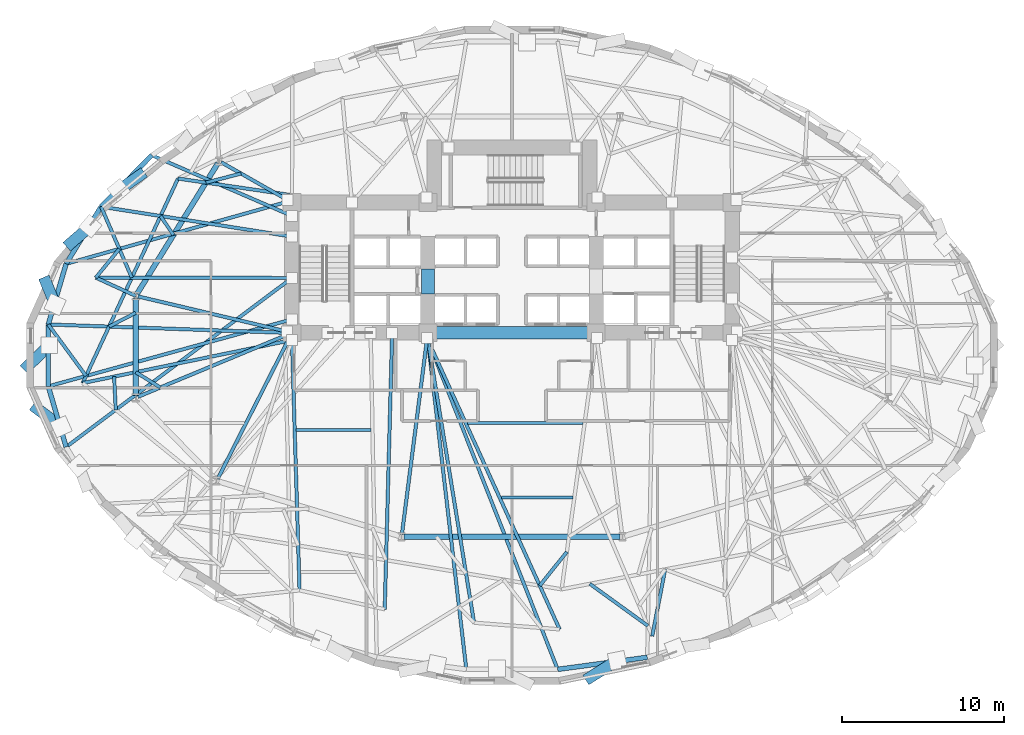
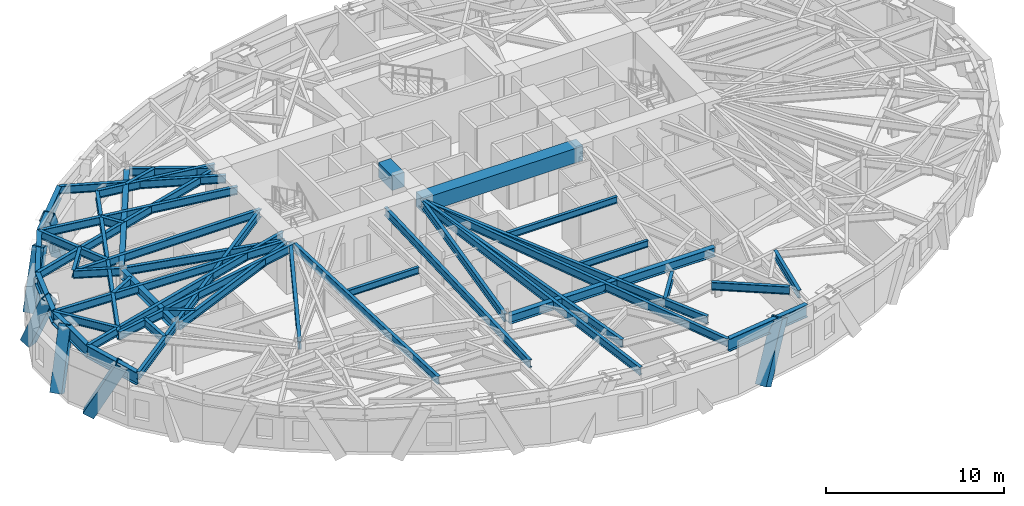
# One storey, part 2 of 14: 47 beams, 6 members.
"""IFC4 building model written with IfcOpenShell, lengths in metres."""

import ifcopenshell
import ifcopenshell.guid

model = None  # the IFC model being written
_history = None  # IfcOwnerHistory: only IFC2X3 demands one
_inside = {}  # id of a spatial element -> (the spatial element, [elements in it])
_under = {}  # id of a project, library or spatial element -> (it, [spatial elements below it])
_declared = {}  # id of a project -> (the project, [libraries it declares])
_typed = {}  # id of a type object -> (the type object, [elements of that type])
_made_of = {}  # id of a material, layer set ... -> (it, [elements and type objects made of it])


def new_model(schema):
    """Start an empty IFC model of exactly this schema.

    Asked for "IFC4X3", IfcOpenShell would pick the latest addendum, in which some entities
    have other attributes; the version numbers below select the first issue.
    IFC2X3 requires an IfcOwnerHistory on every rooted entity: one is made here for all.
    """
    global model, _history
    if schema == "IFC4X3":
        model = ifcopenshell.file(schema_version=(4, 3, 0, 0))
    else:
        model = ifcopenshell.file(schema=schema)
    _inside.clear()
    _under.clear()
    _declared.clear()
    _typed.clear()
    _made_of.clear()
    _history = None
    if model.schema == "IFC2X3":
        org = make("IfcOrganization", Name="unknown")
        user = make(
            "IfcPersonAndOrganization",
            ThePerson=make("IfcPerson", FamilyName="unknown"),
            TheOrganization=org,
        )
        app = make(
            "IfcApplication",
            ApplicationDeveloper=org,
            Version="unknown",
            ApplicationFullName="unknown",
            ApplicationIdentifier="unknown",
        )
        _history = make(
            "IfcOwnerHistory",
            OwningUser=user,
            OwningApplication=app,
            ChangeAction="ADDED",
            CreationDate=0,
        )
    return model


def make(cls, **values):
    """One entity of the class cls with the attributes given. An attribute that is None is left unset."""
    return model.create_entity(
        cls, **{name: value for name, value in values.items() if value is not None}
    )


def rooted(cls, **values):
    """An entity with a GlobalId (a new one), such as an element, a storey or a relation."""
    return make(cls, GlobalId=ifcopenshell.guid.new(), OwnerHistory=_history, **values)


def si_unit(unit_type, name, prefix=None):
    """IfcSIUnit, for example si_unit("LENGTHUNIT", "METRE", prefix="MILLI")."""
    return make("IfcSIUnit", UnitType=unit_type, Prefix=prefix, Name=name)


def assignment(units):
    """IfcUnitAssignment: the units of a project."""
    return None if units is None else make("IfcUnitAssignment", Units=units)


def point(xyz):
    """IfcCartesianPoint."""
    return None if xyz is None else make("IfcCartesianPoint", Coordinates=xyz)


def direction(xyz):
    """IfcDirection."""
    return None if xyz is None else make("IfcDirection", DirectionRatios=xyz)


def frame(location, z_axis=None, x_axis=None):
    """IfcAxis2Placement3D, a coordinate frame: its origin and axes. An axis left out is left unset."""
    return make(
        "IfcAxis2Placement3D",
        Location=point(location),
        Axis=direction(z_axis),
        RefDirection=direction(x_axis),
    )


def frame_2d(location, x_axis=None):
    """IfcAxis2Placement2D, a coordinate frame in the plane: its origin and x axis."""
    return make(
        "IfcAxis2Placement2D", Location=point(location), RefDirection=direction(x_axis)
    )


def origin():
    """The frame at (0, 0, 0) with its axes left unset."""
    return frame((0.0, 0.0, 0.0))


def origin_2d():
    """The frame at (0, 0) in the plane with its x axis left unset."""
    return frame_2d((0.0, 0.0))


def place(relative_to, where):
    """IfcLocalPlacement: puts the frame where relative to a parent placement (None: the world)."""
    return make(
        "IfcLocalPlacement", PlacementRelTo=relative_to, RelativePlacement=where
    )


def context(
    kind, dimensions, precision=None, world=None, true_north=None, identifier=None
):
    """IfcGeometricRepresentationContext, for example the 3D "Model" context."""
    return make(
        "IfcGeometricRepresentationContext",
        ContextIdentifier=identifier,
        ContextType=kind,
        CoordinateSpaceDimension=dimensions,
        Precision=precision,
        WorldCoordinateSystem=world,
        TrueNorth=true_north,
    )


def subcontext(parent, identifier, kind, view, scale=None):
    """IfcGeometricRepresentationSubContext, for example "Body" below "Model"."""
    return make(
        "IfcGeometricRepresentationSubContext",
        ContextIdentifier=identifier,
        ContextType=kind,
        ParentContext=parent,
        TargetScale=scale,
        TargetView=view,
    )


def project(units=None, contexts=None):
    """IfcProject with its units and contexts."""
    return rooted(
        "IfcProject",
        Name="project",
        RepresentationContexts=contexts,
        UnitsInContext=assignment(units),
    )


def spatial(cls, under=None, at=None, **own):
    """A site, building, storey or space (cls), placed at a placement, below another one or the project."""
    s = rooted(cls, ObjectPlacement=at, **own)
    if under is not None:
        _under.setdefault(under.id(), (under, []))[1].append(s)
    return s


def profile(cls, at=None, kind="AREA", **sizes):
    """A parametric profile (cls). Its sizes go by their IFC names, for example OverallWidth=200.0."""
    return make(cls, ProfileType=kind, Position=at, **sizes)


def rectangle(**sizes):
    """IfcRectangleProfileDef."""
    return profile("IfcRectangleProfileDef", **sizes)


def hollow_rectangle(**sizes):
    """IfcRectangleHollowProfileDef."""
    return profile("IfcRectangleHollowProfileDef", **sizes)


def i_section(**sizes):
    """IfcIShapeProfileDef."""
    return profile("IfcIShapeProfileDef", **sizes)


def extrude(swept, where, along, depth):
    """IfcExtrudedAreaSolid: the profile swept, set in the frame where, extruded along a direction by depth."""
    return make(
        "IfcExtrudedAreaSolid",
        SweptArea=swept,
        Position=where,
        ExtrudedDirection=direction(along),
        Depth=depth,
    )


def shape(context_of_items, identifier, shape_type, items):
    """IfcShapeRepresentation: the items that make up one representation, for example the "Body"."""
    return make(
        "IfcShapeRepresentation",
        ContextOfItems=context_of_items,
        RepresentationIdentifier=identifier,
        RepresentationType=shape_type,
        Items=items,
    )


def material(Name=None, Category=None):
    """IfcMaterial."""
    return make("IfcMaterial", Name=Name, Category=Category)


def material_profile(
    of_material, cross_section, Name=None, Category=None, Priority=None
):
    """IfcMaterialProfile: a cross section and its material."""
    return make(
        "IfcMaterialProfile",
        Name=Name,
        Material=of_material,
        Profile=cross_section,
        Priority=Priority,
        Category=Category,
    )


def profile_set(profiles, Name=None, composite=None):
    """IfcMaterialProfileSet."""
    return make(
        "IfcMaterialProfileSet",
        Name=Name,
        MaterialProfiles=profiles,
        CompositeProfile=composite,
    )


def made_of(thing, what):
    """Note that an element or type object is made of a material, layer set ...; save() writes the relation."""
    if what is not None:
        _made_of.setdefault(what.id(), (what, []))[1].append(thing)
    return thing


def type_object(cls, material=None, **own):
    """A type object (cls), such as IfcWallType, which elements share."""
    return made_of(rooted(cls, **own), material)


def element(
    cls,
    number,
    at=None,
    inside=None,
    cuts=None,
    type_object=None,
    material=None,
    context=None,
    identifier="Body",
    shape_type=None,
    held_by="IfcProductDefinitionShape",
    body=None,
    shapes=None,
    **own,
):
    """One element of the class cls, such as IfcWall. Its Tag is "e" and its number.

    at: its placement. inside: the storey or other place that contains it. cuts: it is an
    opening in that element (IfcRelVoidsElement). A single representation is given by context,
    identifier, shape_type and body (its items); several are given by shapes. held_by: the class
    of the entity that holds the representations. save() writes the other relations.
    """
    e = rooted(cls, Tag="e%d" % number, ObjectPlacement=at, **own)
    if body is not None:
        shapes = [shape(context, identifier, shape_type, body)]
    if shapes is not None:
        e.Representation = make(held_by, Representations=shapes)
    if inside is not None:
        _inside.setdefault(inside.id(), (inside, []))[1].append(e)
    if cuts is not None:
        rooted(
            "IfcRelVoidsElement", RelatingBuildingElement=cuts, RelatedOpeningElement=e
        )
    if type_object is not None:
        _typed.setdefault(type_object.id(), (type_object, []))[1].append(e)
    return made_of(e, material)


def aggregate(whole, parts):
    """IfcRelAggregates: a whole, such as a stair, and the parts it consists of."""
    return rooted("IfcRelAggregates", RelatingObject=whole, RelatedObjects=parts)


def save(model, path):
    """Write the relations noted so far, then the file.

    IfcRelAggregates (storeys below a building ...), IfcRelContainedInSpatialStructure (elements
    in a storey), IfcRelDefinesByType, IfcRelAssociatesMaterial and IfcRelDeclares: one each for
    every whole, place, type object, material and project.
    """
    for whole, parts in _under.values():
        aggregate(whole, parts)
    for where, things in _inside.values():
        rooted(
            "IfcRelContainedInSpatialStructure",
            RelatedElements=things,
            RelatingStructure=where,
        )
    for kind, things in _typed.values():
        rooted("IfcRelDefinesByType", RelatedObjects=things, RelatingType=kind)
    for what, things in _made_of.values():
        rooted("IfcRelAssociatesMaterial", RelatedObjects=things, RelatingMaterial=what)
    for by, libraries in _declared.values():
        rooted("IfcRelDeclares", RelatingContext=by, RelatedDefinitions=libraries)
    model.write(path)


model = new_model("IFC4")

# Units and contexts
model_context = context("Model", 3, precision=1e-05, world=origin(), true_north=direction((0.0, 1.0)))
body_context = subcontext(model_context, "Body", "Model", "MODEL_VIEW")
ifc_project = project(units=[si_unit("LENGTHUNIT", "METRE"), si_unit("AREAUNIT", "SQUARE_METRE"), si_unit("VOLUMEUNIT", "CUBIC_METRE"), si_unit("PLANEANGLEUNIT", "RADIAN"), si_unit("MASSUNIT", "GRAM", prefix="KILO")], contexts=[model_context])

# Site, building, storey
site_placement = place(None, origin())
site = spatial("IfcSite", under=ifc_project, at=site_placement, CompositionType="ELEMENT")
building_placement = place(site_placement, origin())
building = spatial("IfcBuilding", under=site, at=building_placement, Name="Keldmark Tower", CompositionType="ELEMENT")
storey_placement = place(building_placement, frame((0.0, 0.0, 73.800048828125)))
storey = spatial("IfcBuildingStorey", under=building, at=storey_placement, Name="L19", CompositionType="ELEMENT", Elevation=73.800048828125)

# Beams
ifc_material_1 = material(Name="Steel ASTM A992 Grade 50", Category="steel")
ifc_material_profile_1 = material_profile(ifc_material_1, i_section(OverallWidth=0.19091796875, OverallDepth=0.45703125, WebThickness=0.009033203125, FlangeThickness=0.014404296875, at=origin_2d()), Name="W18X50")
ifc_profile_set_1 = profile_set([ifc_material_profile_1], Name="Steel ASTM A992 Grade 50")
beam_type_1 = type_object("IfcBeamType", Name="Composite Floor Joist W18X50", PredefinedType="JOIST", material=ifc_profile_set_1)
beam_1_placement = place(storey_placement, frame((-0.661376953125, -8.780029296875, 3.13134765625), z_axis=(1.0, 0.0, 0.0), x_axis=(0.0, 1.0, 0.0)))
element("IfcBeam", 1, at=beam_1_placement, inside=storey, type_object=beam_type_1, Name="L19 Composite Floor Joist J03", PredefinedType="JOIST", context=body_context, shape_type="SweptSolid", body=[
    extrude(i_section(OverallWidth=0.19091796875, OverallDepth=0.45703125, WebThickness=0.009033203125, FlangeThickness=0.014404296875, at=origin_2d()), origin(), (0.0, 0.0, 1.0), 4.41845703125),
])
beam_2_placement = place(storey_placement, frame((-13.335693359375, -4.60009765625, 3.13134765625), z_axis=(1.0, 0.0, 0.0), x_axis=(0.0, 1.0, 0.0)))
element("IfcBeam", 2, at=beam_2_placement, inside=storey, type_object=beam_type_1, Name="L19 Composite Floor Joist J05", PredefinedType="JOIST", context=body_context, shape_type="SweptSolid", body=[
    extrude(i_section(OverallWidth=0.19091796875, OverallDepth=0.45703125, WebThickness=0.009033203125, FlangeThickness=0.014404296875, at=origin_2d()), origin(), (0.0, 0.0, 1.0), 4.6162109375),
])
beam_3_placement = place(storey_placement, frame((-2.757080078125, -4.179931640625, 3.13134765625), z_axis=(1.0, 0.0, 0.0), x_axis=(0.0, 1.0, 0.0)))
element("IfcBeam", 3, at=beam_3_placement, inside=storey, type_object=beam_type_1, Name="L19 Composite Floor Joist J06", PredefinedType="JOIST", context=body_context, shape_type="SweptSolid", body=[
    extrude(i_section(OverallWidth=0.19091796875, OverallDepth=0.45703125, WebThickness=0.009033203125, FlangeThickness=0.014404296875, at=origin_2d()), origin(), (0.0, 0.0, 1.0), 7.150390625),
])
ifc_material_2 = material(Name="Concrete C70/85", Category="concrete")
ifc_material_profile_2 = material_profile(ifc_material_2, rectangle(XDim=0.800048828125, YDim=1.0, at=origin_2d()), Name="RCB800X1000")
ifc_profile_set_2 = profile_set([ifc_material_profile_2], Name="Concrete C70/85")
beam_type_2 = type_object("IfcBeamType", Name="Core Coupling Beam RCB800X1000", PredefinedType="USERDEFINED", material=ifc_profile_set_2)
beam_4_placement = place(storey_placement, frame((-5.199951171875, 3.800048828125, 2.85986328125), z_axis=(0.0, 1.0, 0.0), x_axis=(-1.0, 0.0, 0.0)))
element("IfcBeam", 4, at=beam_4_placement, inside=storey, type_object=beam_type_2, Name="L19 West Core Coupling Beam", ObjectType="COUPLING BEAM", PredefinedType="USERDEFINED", context=body_context, shape_type="SweptSolid", body=[
    extrude(rectangle(XDim=0.800048828125, YDim=1.0, at=origin_2d()), origin(), (0.0, 0.0, 1.0), 1.550048828125),
])
beam_5_placement = place(storey_placement, frame((-5.199951171875, 1.39990234375, 2.85986328125), z_axis=(1.0, 0.0, 0.0), x_axis=(0.0, 1.0, 0.0)))
element("IfcBeam", 5, at=beam_5_placement, inside=storey, type_object=beam_type_2, Name="L19 Central South Core Coupling Beam", ObjectType="COUPLING BEAM", PredefinedType="USERDEFINED", context=body_context, shape_type="SweptSolid", body=[
    extrude(rectangle(XDim=0.800048828125, YDim=1.0, at=origin_2d()), origin(), (0.0, 0.0, 1.0), 10.39990234375),
])

# Members
ifc_material_3 = material(Name="Steel ASTM A572 Grade 50", Category="steel")
ifc_material_profile_3 = material_profile(ifc_material_3, hollow_rectangle(XDim=0.699951171875, YDim=0.699951171875, WallThickness=0.054931640625, at=origin_2d()), Name="BOX700X700X55")
ifc_profile_set_3 = profile_set([ifc_material_profile_3], Name="Steel ASTM A572 Grade 50")
member_type = type_object("IfcMemberType", Name="Diagrid Zone 1 Brace BOX700X700X55", PredefinedType="BRACE", material=ifc_profile_set_3)
member_1_placement = place(storey_placement, frame((-22.987548828125, 11.135498046875, -0.280029296875), z_axis=(-0.340978077507, -0.238167447404, 0.909401021364), x_axis=(0.57262746717, -0.819815701144, 0.0)))
element("IfcMember", 6, at=member_1_placement, inside=storey, type_object=member_type, Name="L19 Perimeter Diagrid Brace 07A", PredefinedType="BRACE", context=body_context, shape_type="SweptSolid", body=[
    extrude(hollow_rectangle(XDim=0.699951171875, YDim=0.699951171875, WallThickness=0.054931640625, at=origin_2d()), origin(), (0.0, 0.0, 1.0), 3.87060546875),
])
member_2_placement = place(storey_placement, frame((-27.286865234375, 6.923828125, -0.280029296875), z_axis=(0.314959384679, 0.274376382732, 0.908580313787), x_axis=(-0.656858226087, 0.754014105187, 0.0)))
element("IfcMember", 7, at=member_2_placement, inside=storey, type_object=member_type, Name="L19 Perimeter Diagrid Brace 07B", PredefinedType="BRACE", context=body_context, shape_type="SweptSolid", body=[
    extrude(hollow_rectangle(XDim=0.699951171875, YDim=0.699951171875, WallThickness=0.054931640625, at=origin_2d()), origin(), (0.0, 0.0, 1.0), 3.874267578125),
])
member_3_placement = place(storey_placement, frame((-28.808349609375, 4.53076171875, -0.280029296875), z_axis=(0.149368240201, -0.362477989142, 0.919945018035), x_axis=(0.924576949637, 0.380995359814, 0.0)))
element("IfcMember", 8, at=member_3_placement, inside=storey, type_object=member_type, Name="L19 Perimeter Diagrid Brace 08A", PredefinedType="BRACE", context=body_context, shape_type="SweptSolid", body=[
    extrude(hollow_rectangle(XDim=0.699951171875, YDim=0.699951171875, WallThickness=0.054931640625, at=origin_2d()), origin(), (0.0, 0.0, 1.0), 3.826416015625),
])
member_4_placement = place(storey_placement, frame((-29.9443359375, -0.673828125, -0.280029296875), z_axis=(0.336785212573, 0.327293992946, 0.882867126341), x_axis=(-0.696929421312, 0.717139722585, 0.0)))
element("IfcMember", 9, at=member_4_placement, inside=storey, type_object=member_type, Name="L19 Perimeter Diagrid Brace 08B", PredefinedType="BRACE", context=body_context, shape_type="SweptSolid", body=[
    extrude(hollow_rectangle(XDim=0.699951171875, YDim=0.699951171875, WallThickness=0.054931640625, at=origin_2d()), origin(), (0.0, 0.0, 1.0), 3.987060546875),
])
member_5_placement = place(storey_placement, frame((-29.375244140625, -3.27001953125, -0.280029296875), z_axis=(0.37757544969, -0.284113759132, 0.88131501273), x_axis=(0.601261799092, 0.799052094017, 0.0)))
element("IfcMember", 10, at=member_5_placement, inside=storey, type_object=member_type, Name="L19 Perimeter Diagrid Brace 09A", PredefinedType="BRACE", context=body_context, shape_type="SweptSolid", body=[
    extrude(hollow_rectangle(XDim=0.699951171875, YDim=0.699951171875, WallThickness=0.054931640625, at=origin_2d()), origin(), (0.0, 0.0, 1.0), 3.994140625),
])
member_6_placement = place(storey_placement, frame((4.825439453125, -19.899658203125, -0.280029296875), z_axis=(0.416541239689, 0.259990855002, 0.871147605721), x_axis=(-0.529490047926, 0.848316149291, 0.0)))
element("IfcMember", 11, at=member_6_placement, inside=storey, type_object=member_type, Name="L19 Perimeter Diagrid Brace 13A", PredefinedType="BRACE", context=body_context, shape_type="SweptSolid", body=[
    extrude(hollow_rectangle(XDim=0.699951171875, YDim=0.699951171875, WallThickness=0.054931640625, at=origin_2d()), origin(), (0.0, 0.0, 1.0), 4.040771484375),
])

# Beams
ifc_material_4 = material(Name="Steel ASTM A992 Grade 50", Category="steel")
ifc_material_profile_4 = material_profile(ifc_material_4, i_section(OverallWidth=0.323974609375, OverallDepth=0.611083984375, WebThickness=0.0126953125, FlangeThickness=0.01904296875, at=origin_2d()), Name="W24X104")
ifc_profile_set_4 = profile_set([ifc_material_profile_4], Name="Steel ASTM A992 Grade 50")
beam_type_3 = type_object("IfcBeamType", Name="Primary Floor Girder W24X104", PredefinedType="BEAM", material=ifc_profile_set_4)
beam_6_placement = place(storey_placement, frame((-18.17138671875, 11.888427734375, 3.054443359375), z_axis=(-0.526318405849, -0.850287560573, 0.0), x_axis=(0.850287560573, -0.526318405849, 0.0)))
element("IfcBeam", 12, at=beam_6_placement, inside=storey, type_object=beam_type_3, Name="L19 Floor Ring Girder FG-R05", PredefinedType="BEAM", context=body_context, shape_type="SweptSolid", body=[
    extrude(i_section(OverallWidth=0.323974609375, OverallDepth=0.611083984375, WebThickness=0.0126953125, FlangeThickness=0.01904296875, at=origin_2d()), origin(), (0.0, 0.0, 1.0), 9.51708984375),
])
beam_7_placement = place(storey_placement, frame((-23.25390625, 3.537109375, 3.054443359375), z_axis=(0.0, -1.0, 0.0), x_axis=(1.0, 0.0, 0.0)))
element("IfcBeam", 13, at=beam_7_placement, inside=storey, type_object=beam_type_3, Name="L19 Floor Ring Girder FG-R06", PredefinedType="BEAM", context=body_context, shape_type="SweptSolid", body=[
    extrude(i_section(OverallWidth=0.323974609375, OverallDepth=0.611083984375, WebThickness=0.0126953125, FlangeThickness=0.01904296875, at=origin_2d()), origin(), (0.0, 0.0, 1.0), 6.01025390625),
])
beam_8_placement = place(storey_placement, frame((-6.68212890625, -11.205810546875, 3.054443359375), z_axis=(1.0, 0.0, 0.0), x_axis=(0.0, 1.0, 0.0)))
element("IfcBeam", 14, at=beam_8_placement, inside=storey, type_object=beam_type_3, Name="L19 Floor Ring Girder FG-R09", PredefinedType="BEAM", context=body_context, shape_type="SweptSolid", body=[
    extrude(i_section(OverallWidth=0.323974609375, OverallDepth=0.611083984375, WebThickness=0.0126953125, FlangeThickness=0.01904296875, at=origin_2d()), origin(), (0.0, 0.0, 1.0), 13.3642578125),
])
ifc_material_5 = material(Name="Steel ASTM A992 Grade 50", Category="steel")
ifc_material_profile_5 = material_profile(ifc_material_5, i_section(OverallWidth=0.2099609375, OverallDepth=0.537109375, WebThickness=0.010986328125, FlangeThickness=0.017333984375, at=origin_2d()), Name="W21X68")
ifc_profile_set_5 = profile_set([ifc_material_profile_5], Name="Steel ASTM A992 Grade 50")
beam_type_4 = type_object("IfcBeamType", Name="Radial Tie Girder W21X68", PredefinedType="BEAM", material=ifc_profile_set_5)
beam_9_placement = place(storey_placement, frame((-16.74658203125, 11.2392578125, 3.091552734375), z_axis=(-0.968337574206, -0.249644431903, 0.0), x_axis=(0.249644431903, -0.968337574206, 0.0)))
element("IfcBeam", 15, at=beam_9_placement, inside=storey, type_object=beam_type_4, Name="L19 Framing Pin Header PH-006", PredefinedType="BEAM", context=body_context, shape_type="SweptSolid", body=[
    extrude(i_section(OverallWidth=0.2099609375, OverallDepth=0.537109375, WebThickness=0.010986328125, FlangeThickness=0.017333984375, at=origin_2d()), origin(), (0.0, 0.0, 1.0), 2.244384765625),
])
beam_10_placement = place(storey_placement, frame((-13.60009765625, 9.89990234375, 3.091552734375), z_axis=(-0.989444637615, 0.144911383594, 0.0), x_axis=(-0.144911383594, -0.989444637615, 0.0)))
element("IfcBeam", 16, at=beam_10_placement, inside=storey, type_object=beam_type_4, Name="L19 Sub-Ring Step Girder STP1-M06", PredefinedType="BEAM", context=body_context, shape_type="SweptSolid", body=[
    extrude(i_section(OverallWidth=0.2099609375, OverallDepth=0.537109375, WebThickness=0.010986328125, FlangeThickness=0.017333984375, at=origin_2d()), origin(), (0.0, 0.0, 1.0), 7.1181640625),
])
beam_11_placement = place(storey_placement, frame((-21.740234375, -1.98388671875, 3.091552734375), z_axis=(-0.847321968581, 0.531079543533, 0.0), x_axis=(-0.531079543533, -0.847321968581, 0.0)))
element("IfcBeam", 17, at=beam_11_placement, inside=storey, type_object=beam_type_4, Name="L19 Framing Pin Header PH-007", PredefinedType="BEAM", context=body_context, shape_type="SweptSolid", body=[
    extrude(i_section(OverallWidth=0.2099609375, OverallDepth=0.537109375, WebThickness=0.010986328125, FlangeThickness=0.017333984375, at=origin_2d()), origin(), (0.0, 0.0, 1.0), 1.786376953125),
])
beam_12_placement = place(storey_placement, frame((-13.60009765625, 0.949951171875, 3.091552734375), z_axis=(-0.979505891837, -0.201415510466, 0.0), x_axis=(0.201415510466, -0.979505891837, 0.0)))
element("IfcBeam", 18, at=beam_12_placement, inside=storey, type_object=beam_type_4, Name="L19 Sub-Ring Step Girder STP1-M07", PredefinedType="BEAM", context=body_context, shape_type="SweptSolid", body=[
    extrude(i_section(OverallWidth=0.2099609375, OverallDepth=0.537109375, WebThickness=0.010986328125, FlangeThickness=0.017333984375, at=origin_2d()), origin(), (0.0, 0.0, 1.0), 13.202392578125),
])
beam_13_placement = place(storey_placement, frame((-20.64306640625, 10.931396484375, 3.091552734375), z_axis=(-0.422294024081, -0.906458910942, 0.0), x_axis=(0.906458910942, -0.422294024081, 0.0)))
element("IfcBeam", 19, at=beam_13_placement, inside=storey, type_object=beam_type_4, Name="L19 Perimeter Collector Ring Beam CRG1-M06", PredefinedType="BEAM", context=body_context, shape_type="SweptSolid", body=[
    extrude(i_section(OverallWidth=0.2099609375, OverallDepth=0.537109375, WebThickness=0.010986328125, FlangeThickness=0.017333984375, at=origin_2d()), origin(), (0.0, 0.0, 1.0), 13.945068359375),
])
beam_14_placement = place(storey_placement, frame((-13.60009765625, 8.621337890625, 3.091552734375), z_axis=(-0.917730419507, 0.397203823132, 0.0), x_axis=(-0.397203823132, -0.917730419507, 0.0)))
element("IfcBeam", 20, at=beam_14_placement, inside=storey, type_object=beam_type_4, Name="L19 Perimeter Radial Tie Girder RT-13", PredefinedType="BEAM", context=body_context, shape_type="SweptSolid", body=[
    extrude(i_section(OverallWidth=0.2099609375, OverallDepth=0.537109375, WebThickness=0.010986328125, FlangeThickness=0.017333984375, at=origin_2d()), origin(), (0.0, 0.0, 1.0), 9.439208984375),
])
beam_15_placement = place(storey_placement, frame((-20.92626953125, 7.437744140625, 3.091552734375), z_axis=(-0.559605597659, 0.828759057307, 0.0), x_axis=(-0.828759057307, -0.559605597659, 0.0)))
element("IfcBeam", 21, at=beam_15_placement, inside=storey, type_object=beam_type_4, Name="L19 Framing Pin Header PH-023", PredefinedType="BEAM", context=body_context, shape_type="SweptSolid", body=[
    extrude(i_section(OverallWidth=0.2099609375, OverallDepth=0.537109375, WebThickness=0.010986328125, FlangeThickness=0.017333984375, at=origin_2d()), origin(), (0.0, 0.0, 1.0), 1.42138671875),
])
beam_16_placement = place(storey_placement, frame((-13.60009765625, 7.343017578125, 3.091552734375), z_axis=(-0.987941974914, 0.154824591724, 0.0), x_axis=(-0.154824591724, -0.987941974914, 0.0)))
element("IfcBeam", 22, at=beam_16_placement, inside=storey, type_object=beam_type_4, Name="L19 Perimeter Radial Tie Girder RT-14", PredefinedType="BEAM", context=body_context, shape_type="SweptSolid", body=[
    extrude(i_section(OverallWidth=0.2099609375, OverallDepth=0.537109375, WebThickness=0.010986328125, FlangeThickness=0.017333984375, at=origin_2d()), origin(), (0.0, 0.0, 1.0), 11.943359375),
])
beam_17_placement = place(storey_placement, frame((-25.3994140625, 9.192138671875, 3.091552734375), z_axis=(0.397482823299, -0.917609614805, 0.0), x_axis=(0.917609614805, 0.397482823299, 0.0)))
element("IfcBeam", 23, at=beam_17_placement, inside=storey, type_object=beam_type_4, Name="L19 Framing Pin Header PH-024", PredefinedType="BEAM", context=body_context, shape_type="SweptSolid", body=[
    extrude(i_section(OverallWidth=0.2099609375, OverallDepth=0.537109375, WebThickness=0.010986328125, FlangeThickness=0.017333984375, at=origin_2d()), origin(), (0.0, 0.0, 1.0), 4.783447265625),
])
beam_18_placement = place(storey_placement, frame((-13.60009765625, 4.78564453125, 3.091552734375), z_axis=(-0.999998501204, 0.001731355112, 0.0), x_axis=(-0.001731355112, -0.999998501204, 0.0)))
element("IfcBeam", 24, at=beam_18_placement, inside=storey, type_object=beam_type_4, Name="L19 Intermediate Radial Step Girder RT-15M", PredefinedType="BEAM", context=body_context, shape_type="SweptSolid", body=[
    extrude(i_section(OverallWidth=0.2099609375, OverallDepth=0.537109375, WebThickness=0.010986328125, FlangeThickness=0.017333984375, at=origin_2d()), origin(), (0.0, 0.0, 1.0), 12.126953125),
])
beam_19_placement = place(storey_placement, frame((-23.25390625, 3.67724609375, 3.091552734375), z_axis=(-0.909639324148, 0.415398964808, 0.0), x_axis=(-0.415398964808, -0.909639324148, 0.0)))
element("IfcBeam", 25, at=beam_19_placement, inside=storey, type_object=beam_type_4, Name="L19 Local Collector Chord RT-15C", PredefinedType="BEAM", context=body_context, shape_type="SweptSolid", body=[
    extrude(i_section(OverallWidth=0.2099609375, OverallDepth=0.537109375, WebThickness=0.010986328125, FlangeThickness=0.017333984375, at=origin_2d()), origin(), (0.0, 0.0, 1.0), 2.71875),
])
beam_20_placement = place(storey_placement, frame((-23.25390625, 2.635498046875, 3.091552734375), z_axis=(-0.88801449738, -0.459815454767, 0.0), x_axis=(0.459815454767, -0.88801449738, 0.0)))
element("IfcBeam", 26, at=beam_20_placement, inside=storey, type_object=beam_type_4, Name="L19 Framing Pin Header PH-025", PredefinedType="BEAM", context=body_context, shape_type="SweptSolid", body=[
    extrude(i_section(OverallWidth=0.2099609375, OverallDepth=0.537109375, WebThickness=0.010986328125, FlangeThickness=0.017333984375, at=origin_2d()), origin(), (0.0, 0.0, 1.0), 1.861083984375),
])
beam_21_placement = place(storey_placement, frame((-14.050048828125, 1.39990234375, 3.091552734375), z_axis=(-0.999387875349, 0.034983919243, 0.0), x_axis=(-0.034983919243, -0.999387875349, 0.0)))
element("IfcBeam", 27, at=beam_21_placement, inside=storey, type_object=beam_type_4, Name="L19 Perimeter Radial Tie Girder RT-16", PredefinedType="BEAM", context=body_context, shape_type="SweptSolid", body=[
    extrude(i_section(OverallWidth=0.2099609375, OverallDepth=0.537109375, WebThickness=0.010986328125, FlangeThickness=0.017333984375, at=origin_2d()), origin(), (0.0, 0.0, 1.0), 14.620361328125),
])
beam_22_placement = place(storey_placement, frame((-28.661376953125, 1.911376953125, 3.091552734375), z_axis=(0.591591649416, -0.806237756708, 0.0), x_axis=(0.806237756708, 0.591591649416, 0.0)))
element("IfcBeam", 28, at=beam_22_placement, inside=storey, type_object=beam_type_4, Name="L19 Framing Pin Header PH-026", PredefinedType="BEAM", context=body_context, shape_type="SweptSolid", body=[
    extrude(i_section(OverallWidth=0.2099609375, OverallDepth=0.537109375, WebThickness=0.010986328125, FlangeThickness=0.017333984375, at=origin_2d()), origin(), (0.0, 0.0, 1.0), 3.945556640625),
])
beam_23_placement = place(storey_placement, frame((-13.60009765625, 2.228515625, 3.091552734375), z_axis=(-0.964237454281, -0.26503986825, 0.0), x_axis=(0.26503986825, -0.964237454281, 0.0)))
element("IfcBeam", 29, at=beam_23_placement, inside=storey, type_object=beam_type_4, Name="L19 Perimeter Radial Tie Girder RT-17", PredefinedType="BEAM", context=body_context, shape_type="SweptSolid", body=[
    extrude(i_section(OverallWidth=0.2099609375, OverallDepth=0.537109375, WebThickness=0.010986328125, FlangeThickness=0.017333984375, at=origin_2d()), origin(), (0.0, 0.0, 1.0), 15.619873046875),
])
beam_24_placement = place(storey_placement, frame((-24.592041015625, -1.310302734375, 3.091552734375), z_axis=(0.048907412217, -0.998803316489, 0.0), x_axis=(0.998803316489, 0.048907412217, 0.0)))
element("IfcBeam", 30, at=beam_24_placement, inside=storey, type_object=beam_type_4, Name="L19 Framing Pin Header PH-027", PredefinedType="BEAM", context=body_context, shape_type="SweptSolid", body=[
    extrude(i_section(OverallWidth=0.2099609375, OverallDepth=0.537109375, WebThickness=0.010986328125, FlangeThickness=0.017333984375, at=origin_2d()), origin(), (0.0, 0.0, 1.0), 2.056640625),
])
beam_25_placement = place(storey_placement, frame((-13.60009765625, 4.78564453125, 3.091552734375), z_axis=(-0.800646448484, -0.599137099945, 0.0), x_axis=(0.599137099945, -0.800646448484, 0.0)))
element("IfcBeam", 31, at=beam_25_placement, inside=storey, type_object=beam_type_4, Name="L19 Perimeter Radial Tie Girder RT-18", PredefinedType="BEAM", context=body_context, shape_type="SweptSolid", body=[
    extrude(i_section(OverallWidth=0.2099609375, OverallDepth=0.537109375, WebThickness=0.010986328125, FlangeThickness=0.017333984375, at=origin_2d()), origin(), (0.0, 0.0, 1.0), 17.435546875),
])
beam_26_placement = place(storey_placement, frame((-13.60009765625, 0.949951171875, 3.091552734375), z_axis=(0.030306321384, -0.999540657945, 0.0), x_axis=(0.999540657945, 0.030306321384, 0.0)))
element("IfcBeam", 32, at=beam_26_placement, inside=storey, type_object=beam_type_4, Name="L19 Intermediate Radial Step Girder RT-22M", PredefinedType="BEAM", context=body_context, shape_type="SweptSolid", body=[
    extrude(i_section(OverallWidth=0.2099609375, OverallDepth=0.537109375, WebThickness=0.010986328125, FlangeThickness=0.017333984375, at=origin_2d()), origin(), (0.0, 0.0, 1.0), 15.47509765625),
])
beam_27_placement = place(storey_placement, frame((-7.406982421875, 1.39990234375, 3.091552734375), z_axis=(-0.026903006736, -0.99963804861, 0.0), x_axis=(0.99963804861, -0.026903006736, 0.0)))
element("IfcBeam", 33, at=beam_27_placement, inside=storey, type_object=beam_type_4, Name="L19 Intermediate Radial Step Girder RT-23M", PredefinedType="BEAM", context=body_context, shape_type="SweptSolid", body=[
    extrude(i_section(OverallWidth=0.2099609375, OverallDepth=0.537109375, WebThickness=0.010986328125, FlangeThickness=0.017333984375, at=origin_2d()), origin(), (0.0, 0.0, 1.0), 17.096923828125),
])
beam_28_placement = place(storey_placement, frame((-5.199951171875, 0.949951171875, 3.091552734375), z_axis=(0.161338869637, -0.986899067354, 0.0), x_axis=(0.986899067354, 0.161338869637, 0.0)))
element("IfcBeam", 34, at=beam_28_placement, inside=storey, type_object=beam_type_4, Name="L19 Intermediate Radial Step Girder RT-24M", PredefinedType="BEAM", context=body_context, shape_type="SweptSolid", body=[
    extrude(i_section(OverallWidth=0.2099609375, OverallDepth=0.537109375, WebThickness=0.010986328125, FlangeThickness=0.017333984375, at=origin_2d()), origin(), (0.0, 0.0, 1.0), 17.703125),
])
beam_29_placement = place(storey_placement, frame((3.388427734375, -12.14501953125, 3.091552734375), z_axis=(-0.625474212818, -0.780244839201, 0.0), x_axis=(0.780244839201, -0.625474212818, 0.0)))
element("IfcBeam", 35, at=beam_29_placement, inside=storey, type_object=beam_type_4, Name="L19 Framing Pin Header PH-037", PredefinedType="BEAM", context=body_context, shape_type="SweptSolid", body=[
    extrude(i_section(OverallWidth=0.2099609375, OverallDepth=0.537109375, WebThickness=0.010986328125, FlangeThickness=0.017333984375, at=origin_2d()), origin(), (0.0, 0.0, 1.0), 2.673828125),
])
beam_30_placement = place(storey_placement, frame((-5.199951171875, 0.949951171875, 3.091552734375), z_axis=(0.414565755403, -0.91001935938, 0.0), x_axis=(0.91001935938, 0.414565755403, 0.0)))
element("IfcBeam", 36, at=beam_30_placement, inside=storey, type_object=beam_type_4, Name="L19 Intermediate Radial Step Girder RT-25M", PredefinedType="BEAM", context=body_context, shape_type="SweptSolid", body=[
    extrude(i_section(OverallWidth=0.2099609375, OverallDepth=0.537109375, WebThickness=0.010986328125, FlangeThickness=0.017333984375, at=origin_2d()), origin(), (0.0, 0.0, 1.0), 19.64892578125),
])
beam_31_placement = place(storey_placement, frame((-5.199951171875, 0.949951171875, 3.091552734375), z_axis=(0.366680231113, -0.930347036385, 0.0), x_axis=(0.930347036385, 0.366680231113, 0.0)))
element("IfcBeam", 37, at=beam_31_placement, inside=storey, type_object=beam_type_4, Name="L19 Perimeter Radial Tie Girder RT-25", PredefinedType="BEAM", context=body_context, shape_type="SweptSolid", body=[
    extrude(i_section(OverallWidth=0.2099609375, OverallDepth=0.537109375, WebThickness=0.010986328125, FlangeThickness=0.017333984375, at=origin_2d()), origin(), (0.0, 0.0, 1.0), 21.8798828125),
])
beam_32_placement = place(storey_placement, frame((-25.72705078125, 4.806640625, 3.091552734375), z_axis=(0.634272659578, 0.773109431654, 0.0), x_axis=(-0.773109431654, 0.634272659578, 0.0)))
element("IfcBeam", 38, at=beam_32_placement, inside=storey, type_object=beam_type_4, Name="L19 Framing Pin Header PH-048", PredefinedType="BEAM", context=body_context, shape_type="SweptSolid", body=[
    extrude(i_section(OverallWidth=0.2099609375, OverallDepth=0.537109375, WebThickness=0.010986328125, FlangeThickness=0.017333984375, at=origin_2d()), origin(), (0.0, 0.0, 1.0), 2.29833984375),
])
beam_33_placement = place(storey_placement, frame((-14.050048828125, 9.449951171875, 3.091552734375), z_axis=(-0.962842302985, -0.270064250843, 0.0), x_axis=(0.270064250843, -0.962842302985, 0.0)))
element("IfcBeam", 39, at=beam_33_placement, inside=storey, type_object=beam_type_4, Name="L19 Perimeter Radial Tie Girder RT-15R", PredefinedType="BEAM", context=body_context, shape_type="SweptSolid", body=[
    extrude(i_section(OverallWidth=0.2099609375, OverallDepth=0.537109375, WebThickness=0.010986328125, FlangeThickness=0.017333984375, at=origin_2d()), origin(), (0.0, 0.0, 1.0), 14.03125),
])
beam_34_placement = place(storey_placement, frame((-5.199951171875, 0.949951171875, 3.091552734375), z_axis=(0.115981380125, -0.993251387849, 0.0), x_axis=(0.993251387849, 0.115981380125, 0.0)))
element("IfcBeam", 40, at=beam_34_placement, inside=storey, type_object=beam_type_4, Name="L19 Perimeter Radial Tie Girder RT-24R", PredefinedType="BEAM", context=body_context, shape_type="SweptSolid", body=[
    extrude(i_section(OverallWidth=0.2099609375, OverallDepth=0.537109375, WebThickness=0.010986328125, FlangeThickness=0.017333984375, at=origin_2d()), origin(), (0.0, 0.0, 1.0), 20.494384765625),
])
beam_35_placement = place(storey_placement, frame((8.66845703125, -17.348388671875, 3.091552734375), z_axis=(0.189982115327, 0.981787551284, 0.0), x_axis=(-0.981787551284, 0.189982115327, 0.0)))
element("IfcBeam", 41, at=beam_35_placement, inside=storey, type_object=beam_type_4, Name="L19 Crown Step Collector Chord RT-26RP1", PredefinedType="BEAM", context=body_context, shape_type="SweptSolid", body=[
    extrude(i_section(OverallWidth=0.2099609375, OverallDepth=0.537109375, WebThickness=0.010986328125, FlangeThickness=0.017333984375, at=origin_2d()), origin(), (0.0, 0.0, 1.0), 4.197021484375),
])
beam_36_placement = place(storey_placement, frame((4.8134765625, -14.12109375, 3.091552734375), z_axis=(0.810216043544, -0.586131352842, 0.0), x_axis=(0.586131352842, 0.810216043544, 0.0)))
element("IfcBeam", 42, at=beam_36_placement, inside=storey, type_object=beam_type_4, Name="L19 Framing Pin Header PH-051", PredefinedType="BEAM", context=body_context, shape_type="SweptSolid", body=[
    extrude(i_section(OverallWidth=0.2099609375, OverallDepth=0.537109375, WebThickness=0.010986328125, FlangeThickness=0.017333984375, at=origin_2d()), origin(), (0.0, 0.0, 1.0), 4.42236328125),
])
ifc_material_6 = material(Name="Steel ASTM A992 Grade 50", Category="steel")
ifc_material_profile_6 = material_profile(ifc_material_6, i_section(OverallWidth=0.214111328125, OverallDepth=0.549072265625, WebThickness=0.0146484375, FlangeThickness=0.023681640625, at=origin_2d()), Name="W21X93")
ifc_profile_set_6 = profile_set([ifc_material_profile_6], Name="Steel ASTM A992 Grade 50")
beam_type_5 = type_object("IfcBeamType", Name="Radial Tie Girder W21X93", PredefinedType="BEAM", material=ifc_profile_set_6)
beam_37_placement = place(storey_placement, frame((-17.97607421875, 11.938232421875, 3.08544921875), z_axis=(0.869299282131, -0.494286109542, 0.0), x_axis=(0.494286109542, 0.869299282131, 0.0)))
element("IfcBeam", 43, at=beam_37_placement, inside=storey, type_object=beam_type_5, Name="L19 Floor Radial Girder FG-C05", PredefinedType="BEAM", context=body_context, shape_type="SweptSolid", body=[
    extrude(i_section(OverallWidth=0.214111328125, OverallDepth=0.549072265625, WebThickness=0.0146484375, FlangeThickness=0.023681640625, at=origin_2d()), origin(), (0.0, 0.0, 1.0), 4.714111328125),
])
beam_38_placement = place(storey_placement, frame((-23.11767578125, 3.64501953125, 3.08544921875), z_axis=(0.973287364179, -0.229590301909, 0.0), x_axis=(0.229590301909, 0.973287364179, 0.0)))
element("IfcBeam", 44, at=beam_38_placement, inside=storey, type_object=beam_type_5, Name="L19 Floor Radial Girder FG-C06", PredefinedType="BEAM", context=body_context, shape_type="SweptSolid", body=[
    extrude(i_section(OverallWidth=0.214111328125, OverallDepth=0.549072265625, WebThickness=0.0146484375, FlangeThickness=0.023681640625, at=origin_2d()), origin(), (0.0, 0.0, 1.0), 9.458740234375),
])
beam_39_placement = place(storey_placement, frame((-23.124755859375, -2.5595703125, 3.08544921875), z_axis=(0.923390978102, 0.383860784088, 0.0), x_axis=(-0.383860784088, 0.923390978102, 0.0)))
element("IfcBeam", 45, at=beam_39_placement, inside=storey, type_object=beam_type_5, Name="L19 Floor Radial Girder FG-C07", PredefinedType="BEAM", context=body_context, shape_type="SweptSolid", body=[
    extrude(i_section(OverallWidth=0.214111328125, OverallDepth=0.549072265625, WebThickness=0.0146484375, FlangeThickness=0.023681640625, at=origin_2d()), origin(), (0.0, 0.0, 1.0), 9.994873046875),
])
beam_40_placement = place(storey_placement, frame((-18.189453125, -7.630859375, 3.08544921875), z_axis=(0.453037526986, 0.891491446478, 0.0), x_axis=(-0.891491446478, 0.453037526986, 0.0)))
element("IfcBeam", 46, at=beam_40_placement, inside=storey, type_object=beam_type_5, Name="L19 Floor Radial Girder FG-C08", PredefinedType="BEAM", context=body_context, shape_type="SweptSolid", body=[
    extrude(i_section(OverallWidth=0.214111328125, OverallDepth=0.549072265625, WebThickness=0.0146484375, FlangeThickness=0.023681640625, at=origin_2d()), origin(), (0.0, 0.0, 1.0), 9.81005859375),
])
beam_41_placement = place(storey_placement, frame((-6.80419921875, -11.06689453125, 3.08544921875), z_axis=(0.127634898593, 0.99182122011, 0.0), x_axis=(-0.99182122011, 0.127634898593, 0.0)))
element("IfcBeam", 47, at=beam_41_placement, inside=storey, type_object=beam_type_5, Name="L19 Floor Radial Girder FG-C09", PredefinedType="BEAM", context=body_context, shape_type="SweptSolid", body=[
    extrude(i_section(OverallWidth=0.214111328125, OverallDepth=0.549072265625, WebThickness=0.0146484375, FlangeThickness=0.023681640625, at=origin_2d()), origin(), (0.0, 0.0, 1.0), 12.24951171875),
])
ifc_material_7 = material(Name="Steel ASTM A992 Grade 50", Category="steel")
ifc_material_profile_7 = material_profile(ifc_material_7, i_section(OverallWidth=0.2919921875, OverallDepth=0.85888671875, WebThickness=0.01708984375, FlangeThickness=0.031005859375, at=origin_2d()), Name="W33X169")
ifc_profile_set_7 = profile_set([ifc_material_profile_7], Name="Steel ASTM A992 Grade 50")
beam_type_6 = type_object("IfcBeamType", Name="Spandrel Ring Beam W33X169", PredefinedType="SPANDREL", material=ifc_profile_set_7)
beam_42_placement = place(storey_placement, frame((-22.2626953125, 12.37060546875, 2.930419921875), z_axis=(-0.702416934119, -0.711765727373, 0.0), x_axis=(0.711765727373, -0.702416934119, 0.0)))
element("IfcBeam", 48, at=beam_42_placement, inside=storey, type_object=beam_type_6, Name="L19 Perimeter Spandrel Ring Beam SRB-13", PredefinedType="SPANDREL", context=body_context, shape_type="SweptSolid", body=[
    extrude(i_section(OverallWidth=0.2919921875, OverallDepth=0.85888671875, WebThickness=0.01708984375, FlangeThickness=0.031005859375, at=origin_2d()), origin(), (0.0, 0.0, 1.0), 4.465576171875),
])
beam_43_placement = place(storey_placement, frame((-25.3994140625, 9.192138671875, 2.930419921875), z_axis=(-0.521848315684, -0.853038296572, 0.0), x_axis=(0.853038296572, -0.521848315684, 0.0)))
element("IfcBeam", 49, at=beam_43_placement, inside=storey, type_object=beam_type_6, Name="L19 Perimeter Spandrel Ring Beam SRB-14", PredefinedType="SPANDREL", context=body_context, shape_type="SweptSolid", body=[
    extrude(i_section(OverallWidth=0.2919921875, OverallDepth=0.85888671875, WebThickness=0.01708984375, FlangeThickness=0.031005859375, at=origin_2d()), origin(), (0.0, 0.0, 1.0), 4.139892578125),
])
beam_44_placement = place(storey_placement, frame((-27.559814453125, 5.66064453125, 2.930419921875), z_axis=(-0.281892332735, -0.959446044728, 0.0), x_axis=(0.959446044728, -0.281892332735, 0.0)))
element("IfcBeam", 50, at=beam_44_placement, inside=storey, type_object=beam_type_6, Name="L19 Perimeter Spandrel Ring Beam SRB-15", PredefinedType="SPANDREL", context=body_context, shape_type="SweptSolid", body=[
    extrude(i_section(OverallWidth=0.2919921875, OverallDepth=0.85888671875, WebThickness=0.01708984375, FlangeThickness=0.031005859375, at=origin_2d()), origin(), (0.0, 0.0, 1.0), 3.90771484375),
])
beam_45_placement = place(storey_placement, frame((-28.661376953125, 1.911376953125, 2.930419921875), z_axis=(0.0, -1.0, 0.0), x_axis=(1.0, 0.0, 0.0)))
element("IfcBeam", 51, at=beam_45_placement, inside=storey, type_object=beam_type_6, Name="L19 Perimeter Spandrel Ring Beam SRB-16", PredefinedType="SPANDREL", context=body_context, shape_type="SweptSolid", body=[
    extrude(i_section(OverallWidth=0.2919921875, OverallDepth=0.85888671875, WebThickness=0.01708984375, FlangeThickness=0.031005859375, at=origin_2d()), origin(), (0.0, 0.0, 1.0), 3.82275390625),
])
beam_46_placement = place(storey_placement, frame((-28.661376953125, -1.911376953125, 2.930419921875), z_axis=(0.281892332735, -0.959446044728, 0.0), x_axis=(0.959446044728, 0.281892332735, 0.0)))
element("IfcBeam", 52, at=beam_46_placement, inside=storey, type_object=beam_type_6, Name="L19 Perimeter Spandrel Ring Beam SRB-17", PredefinedType="SPANDREL", context=body_context, shape_type="SweptSolid", body=[
    extrude(i_section(OverallWidth=0.2919921875, OverallDepth=0.85888671875, WebThickness=0.01708984375, FlangeThickness=0.031005859375, at=origin_2d()), origin(), (0.0, 0.0, 1.0), 3.90771484375),
])
beam_47_placement = place(storey_placement, frame((2.822998046875, -19.406005859375, 2.930419921875), z_axis=(0.99105532763, 0.133451630096, 0.0), x_axis=(-0.133451630096, 0.99105532763, 0.0)))
element("IfcBeam", 53, at=beam_47_placement, inside=storey, type_object=beam_type_6, Name="L19 Perimeter Spandrel Ring Beam SRB-25", PredefinedType="SPANDREL", context=body_context, shape_type="SweptSolid", body=[
    extrude(i_section(OverallWidth=0.2919921875, OverallDepth=0.85888671875, WebThickness=0.01708984375, FlangeThickness=0.031005859375, at=origin_2d()), origin(), (0.0, 0.0, 1.0), 5.587158203125),
])

save(model, "model.ifc")
